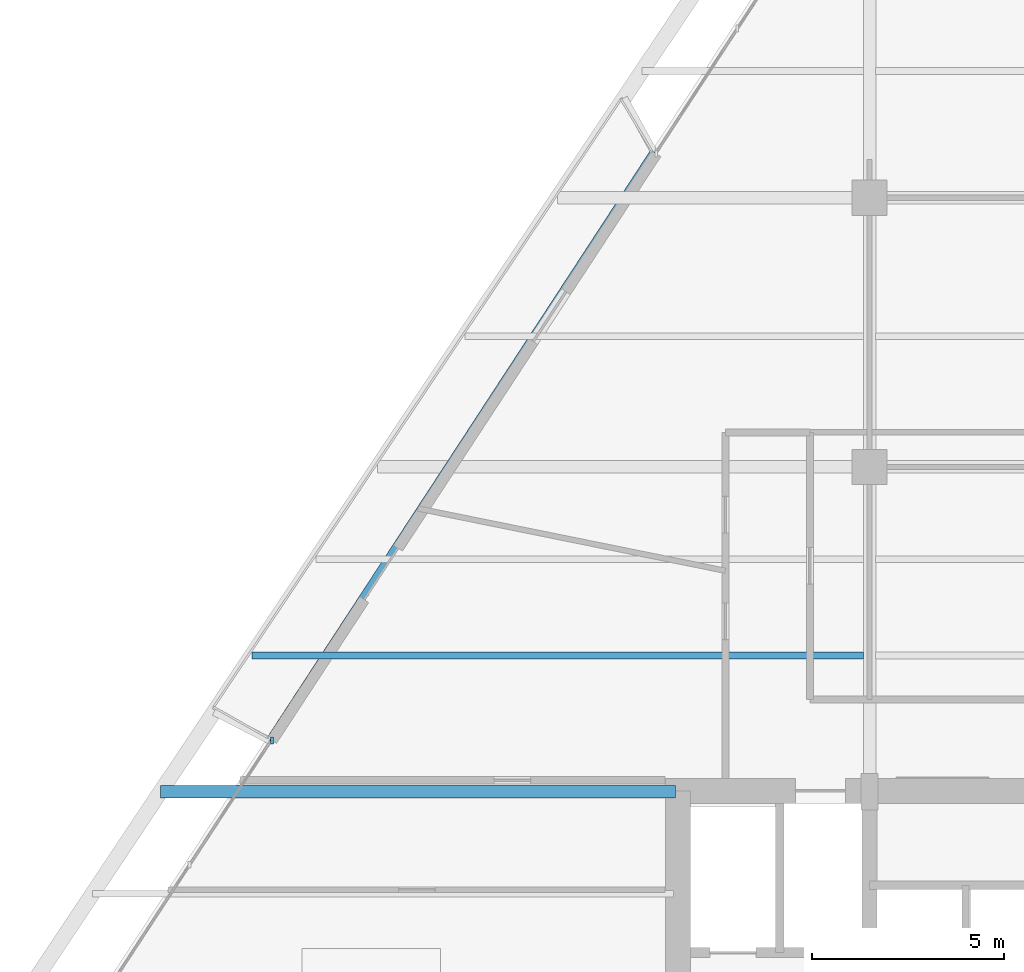
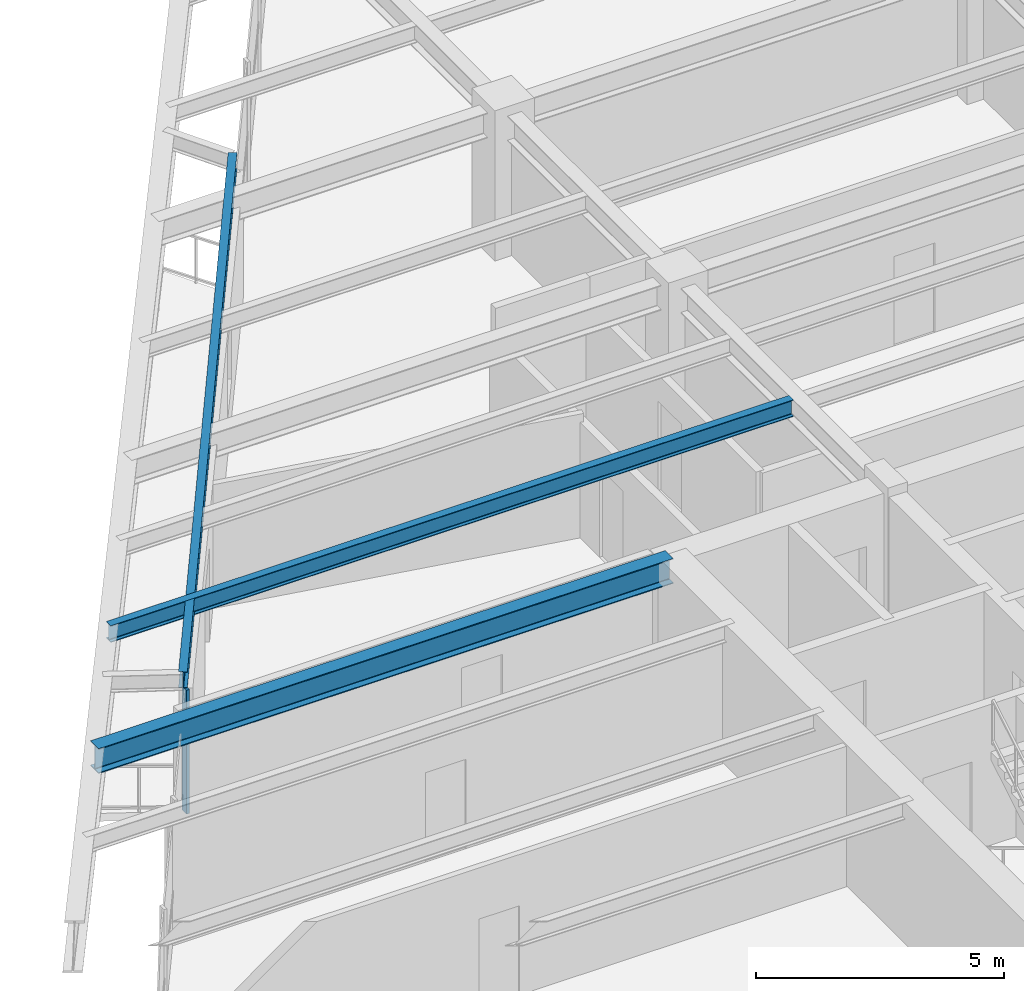
# One storey, part 4 of 14: 3 beams, 1 member, 1 element without a shape of its own.
"""IFC4 building model written with IfcOpenShell, lengths in metres."""

import ifcopenshell
import ifcopenshell.guid

model = None  # the IFC model being written
_history = None  # IfcOwnerHistory: only IFC2X3 demands one
_inside = {}  # id of a spatial element -> (the spatial element, [elements in it])
_under = {}  # id of a project, library or spatial element -> (it, [spatial elements below it])
_declared = {}  # id of a project -> (the project, [libraries it declares])
_typed = {}  # id of a type object -> (the type object, [elements of that type])
_made_of = {}  # id of a material, layer set ... -> (it, [elements and type objects made of it])


def new_model(schema):
    """Start an empty IFC model of exactly this schema.

    Asked for "IFC4X3", IfcOpenShell would pick the latest addendum, in which some entities
    have other attributes; the version numbers below select the first issue.
    IFC2X3 requires an IfcOwnerHistory on every rooted entity: one is made here for all.
    """
    global model, _history
    if schema == "IFC4X3":
        model = ifcopenshell.file(schema_version=(4, 3, 0, 0))
    else:
        model = ifcopenshell.file(schema=schema)
    _inside.clear()
    _under.clear()
    _declared.clear()
    _typed.clear()
    _made_of.clear()
    _history = None
    if model.schema == "IFC2X3":
        org = make("IfcOrganization", Name="unknown")
        user = make(
            "IfcPersonAndOrganization",
            ThePerson=make("IfcPerson", FamilyName="unknown"),
            TheOrganization=org,
        )
        app = make(
            "IfcApplication",
            ApplicationDeveloper=org,
            Version="unknown",
            ApplicationFullName="unknown",
            ApplicationIdentifier="unknown",
        )
        _history = make(
            "IfcOwnerHistory",
            OwningUser=user,
            OwningApplication=app,
            ChangeAction="ADDED",
            CreationDate=0,
        )
    return model


def make(cls, **values):
    """One entity of the class cls with the attributes given. An attribute that is None is left unset."""
    return model.create_entity(
        cls, **{name: value for name, value in values.items() if value is not None}
    )


def rooted(cls, **values):
    """An entity with a GlobalId (a new one), such as an element, a storey or a relation."""
    return make(cls, GlobalId=ifcopenshell.guid.new(), OwnerHistory=_history, **values)


def si_unit(unit_type, name, prefix=None):
    """IfcSIUnit, for example si_unit("LENGTHUNIT", "METRE", prefix="MILLI")."""
    return make("IfcSIUnit", UnitType=unit_type, Prefix=prefix, Name=name)


def assignment(units):
    """IfcUnitAssignment: the units of a project."""
    return None if units is None else make("IfcUnitAssignment", Units=units)


def point(xyz):
    """IfcCartesianPoint."""
    return None if xyz is None else make("IfcCartesianPoint", Coordinates=xyz)


def direction(xyz):
    """IfcDirection."""
    return None if xyz is None else make("IfcDirection", DirectionRatios=xyz)


def frame(location, z_axis=None, x_axis=None):
    """IfcAxis2Placement3D, a coordinate frame: its origin and axes. An axis left out is left unset."""
    return make(
        "IfcAxis2Placement3D",
        Location=point(location),
        Axis=direction(z_axis),
        RefDirection=direction(x_axis),
    )


def frame_2d(location, x_axis=None):
    """IfcAxis2Placement2D, a coordinate frame in the plane: its origin and x axis."""
    return make(
        "IfcAxis2Placement2D", Location=point(location), RefDirection=direction(x_axis)
    )


def origin():
    """The frame at (0, 0, 0) with its axes left unset."""
    return frame((0.0, 0.0, 0.0))


def origin_2d():
    """The frame at (0, 0) in the plane with its x axis left unset."""
    return frame_2d((0.0, 0.0))


def place(relative_to, where):
    """IfcLocalPlacement: puts the frame where relative to a parent placement (None: the world)."""
    return make(
        "IfcLocalPlacement", PlacementRelTo=relative_to, RelativePlacement=where
    )


def context(
    kind, dimensions, precision=None, world=None, true_north=None, identifier=None
):
    """IfcGeometricRepresentationContext, for example the 3D "Model" context."""
    return make(
        "IfcGeometricRepresentationContext",
        ContextIdentifier=identifier,
        ContextType=kind,
        CoordinateSpaceDimension=dimensions,
        Precision=precision,
        WorldCoordinateSystem=world,
        TrueNorth=true_north,
    )


def subcontext(parent, identifier, kind, view, scale=None):
    """IfcGeometricRepresentationSubContext, for example "Body" below "Model"."""
    return make(
        "IfcGeometricRepresentationSubContext",
        ContextIdentifier=identifier,
        ContextType=kind,
        ParentContext=parent,
        TargetScale=scale,
        TargetView=view,
    )


def project(units=None, contexts=None):
    """IfcProject with its units and contexts."""
    return rooted(
        "IfcProject",
        Name="project",
        RepresentationContexts=contexts,
        UnitsInContext=assignment(units),
    )


def spatial(cls, under=None, at=None, **own):
    """A site, building, storey or space (cls), placed at a placement, below another one or the project."""
    s = rooted(cls, ObjectPlacement=at, **own)
    if under is not None:
        _under.setdefault(under.id(), (under, []))[1].append(s)
    return s


def profile(cls, at=None, kind="AREA", **sizes):
    """A parametric profile (cls). Its sizes go by their IFC names, for example OverallWidth=200.0."""
    return make(cls, ProfileType=kind, Position=at, **sizes)


def rectangle(**sizes):
    """IfcRectangleProfileDef."""
    return profile("IfcRectangleProfileDef", **sizes)


def i_section(**sizes):
    """IfcIShapeProfileDef."""
    return profile("IfcIShapeProfileDef", **sizes)


def extrude(swept, where, along, depth):
    """IfcExtrudedAreaSolid: the profile swept, set in the frame where, extruded along a direction by depth."""
    return make(
        "IfcExtrudedAreaSolid",
        SweptArea=swept,
        Position=where,
        ExtrudedDirection=direction(along),
        Depth=depth,
    )


def shape(context_of_items, identifier, shape_type, items):
    """IfcShapeRepresentation: the items that make up one representation, for example the "Body"."""
    return make(
        "IfcShapeRepresentation",
        ContextOfItems=context_of_items,
        RepresentationIdentifier=identifier,
        RepresentationType=shape_type,
        Items=items,
    )


def source(mapping_origin, context_of_items, identifier, shape_type, items):
    """IfcRepresentationMap: a shape defined once, which mapped items show again and again."""
    return make(
        "IfcRepresentationMap",
        MappingOrigin=mapping_origin,
        MappedRepresentation=shape(context_of_items, identifier, shape_type, items),
    )


def transform(
    local_origin,
    x_axis=None,
    y_axis=None,
    z_axis=None,
    scale=None,
    scale2=None,
    scale3=None,
    uniform=True,
):
    """IfcCartesianTransformationOperator3D, or its non-uniform kind. x_axis, y_axis, z_axis: its Axis1, 2, 3."""
    if uniform:
        return make(
            "IfcCartesianTransformationOperator3D",
            Axis1=direction(x_axis),
            Axis2=direction(y_axis),
            LocalOrigin=point(local_origin),
            Scale=scale,
            Axis3=direction(z_axis),
        )
    return make(
        "IfcCartesianTransformationOperator3DnonUniform",
        Axis1=direction(x_axis),
        Axis2=direction(y_axis),
        LocalOrigin=point(local_origin),
        Scale=scale,
        Axis3=direction(z_axis),
        Scale2=scale2,
        Scale3=scale3,
    )


def mapped(mapping_source, mapping_target):
    """IfcMappedItem: shows the shape of a source again, moved by a transform."""
    return make(
        "IfcMappedItem", MappingSource=mapping_source, MappingTarget=mapping_target
    )


def material(Name=None, Category=None):
    """IfcMaterial."""
    return make("IfcMaterial", Name=Name, Category=Category)


def material_profile(
    of_material, cross_section, Name=None, Category=None, Priority=None
):
    """IfcMaterialProfile: a cross section and its material."""
    return make(
        "IfcMaterialProfile",
        Name=Name,
        Material=of_material,
        Profile=cross_section,
        Priority=Priority,
        Category=Category,
    )


def profile_set(profiles, Name=None, composite=None):
    """IfcMaterialProfileSet."""
    return make(
        "IfcMaterialProfileSet",
        Name=Name,
        MaterialProfiles=profiles,
        CompositeProfile=composite,
    )


def made_of(thing, what):
    """Note that an element or type object is made of a material, layer set ...; save() writes the relation."""
    if what is not None:
        _made_of.setdefault(what.id(), (what, []))[1].append(thing)
    return thing


def type_object(cls, material=None, **own):
    """A type object (cls), such as IfcWallType, which elements share."""
    return made_of(rooted(cls, **own), material)


def element(
    cls,
    number,
    at=None,
    inside=None,
    cuts=None,
    type_object=None,
    material=None,
    context=None,
    identifier="Body",
    shape_type=None,
    held_by="IfcProductDefinitionShape",
    body=None,
    shapes=None,
    **own,
):
    """One element of the class cls, such as IfcWall. Its Tag is "e" and its number.

    at: its placement. inside: the storey or other place that contains it. cuts: it is an
    opening in that element (IfcRelVoidsElement). A single representation is given by context,
    identifier, shape_type and body (its items); several are given by shapes. held_by: the class
    of the entity that holds the representations. save() writes the other relations.
    """
    e = rooted(cls, Tag="e%d" % number, ObjectPlacement=at, **own)
    if body is not None:
        shapes = [shape(context, identifier, shape_type, body)]
    if shapes is not None:
        e.Representation = make(held_by, Representations=shapes)
    if inside is not None:
        _inside.setdefault(inside.id(), (inside, []))[1].append(e)
    if cuts is not None:
        rooted(
            "IfcRelVoidsElement", RelatingBuildingElement=cuts, RelatedOpeningElement=e
        )
    if type_object is not None:
        _typed.setdefault(type_object.id(), (type_object, []))[1].append(e)
    return made_of(e, material)


def aggregate(whole, parts):
    """IfcRelAggregates: a whole, such as a stair, and the parts it consists of."""
    return rooted("IfcRelAggregates", RelatingObject=whole, RelatedObjects=parts)


def save(model, path):
    """Write the relations noted so far, then the file.

    IfcRelAggregates (storeys below a building ...), IfcRelContainedInSpatialStructure (elements
    in a storey), IfcRelDefinesByType, IfcRelAssociatesMaterial and IfcRelDeclares: one each for
    every whole, place, type object, material and project.
    """
    for whole, parts in _under.values():
        aggregate(whole, parts)
    for where, things in _inside.values():
        rooted(
            "IfcRelContainedInSpatialStructure",
            RelatedElements=things,
            RelatingStructure=where,
        )
    for kind, things in _typed.values():
        rooted("IfcRelDefinesByType", RelatedObjects=things, RelatingType=kind)
    for what, things in _made_of.values():
        rooted("IfcRelAssociatesMaterial", RelatedObjects=things, RelatingMaterial=what)
    for by, libraries in _declared.values():
        rooted("IfcRelDeclares", RelatingContext=by, RelatedDefinitions=libraries)
    model.write(path)


model = new_model("IFC4")

# Units and contexts
model_context = context("Model", 3, precision=1e-05, world=origin(), true_north=direction((0.0, 1.0)))
body_context = subcontext(model_context, "Body", "Model", "MODEL_VIEW")
ifc_project = project(units=[si_unit("LENGTHUNIT", "METRE"), si_unit("AREAUNIT", "SQUARE_METRE"), si_unit("VOLUMEUNIT", "CUBIC_METRE"), si_unit("PLANEANGLEUNIT", "RADIAN"), si_unit("MASSUNIT", "GRAM", prefix="KILO")], contexts=[model_context])

# Site, building, storey
site_placement = place(None, origin())
site = spatial("IfcSite", under=ifc_project, at=site_placement, CompositionType="ELEMENT")
building_placement = place(site_placement, origin())
building = spatial("IfcBuilding", under=site, at=building_placement, Name="Varnakhor Terracotta Tower", CompositionType="ELEMENT")
storey_placement = place(building_placement, frame((0.0, 0.0, 133.0)))
storey = spatial("IfcBuildingStorey", under=building, at=storey_placement, Name="L33", CompositionType="ELEMENT", Elevation=133.0)

# Beams
ifc_material_1 = material(Name="Steel S355", Category="steel")
ifc_material_profile_1 = material_profile(ifc_material_1, i_section(OverallWidth=0.179931640625, OverallDepth=0.39990234375, WebThickness=0.008544921875, FlangeThickness=0.013427734375, FilletRadius=0.01806640625, at=origin_2d()), Name="IPE400")
ifc_profile_set_1 = profile_set([ifc_material_profile_1], Name="Steel S355")
beam_type_1 = type_object("IfcBeamType", Name="JST-IPE400", PredefinedType="JOIST", material=ifc_profile_set_1)
shared_shape_1 = source(origin(), body_context, "Body", "SweptSolid", [
    extrude(i_section(OverallWidth=0.179931640625, OverallDepth=0.39990234375, WebThickness=0.008544921875, FlangeThickness=0.013427734375, FilletRadius=0.01806640625, at=origin_2d()), origin(), (0.0, 0.0, 1.0), 18.295166015625),
])
beam_1_placement = place(storey_placement, frame((-11.110595703125, 32.703369140625, 3.27001953125), z_axis=(-0.546689429915, -0.837335456803, 0.0), x_axis=(0.837335456803, -0.546689429915, 0.0)))
element("IfcBeam", 1, at=beam_1_placement, inside=storey, type_object=beam_type_1, Name="L33 Loggia Edge Beam 2", PredefinedType="JOIST", context=body_context, shape_type="MappedRepresentation", body=[
    mapped(shared_shape_1, transform((0.0, 0.0, 0.0), scale=1.0)),
])
ifc_material_profile_2 = material_profile(ifc_material_1, i_section(OverallWidth=0.324951171875, OverallDepth=0.615966796875, WebThickness=0.013916015625, FlangeThickness=0.02197265625, FilletRadius=0.01806640625, at=origin_2d()), Name="W24X117")
ifc_profile_set_2 = profile_set([ifc_material_profile_2], Name="Steel S355")
beam_type_2 = type_object("IfcBeamType", Name="BM-W24X117", PredefinedType="BEAM", material=ifc_profile_set_2)
shared_shape_2 = source(origin(), body_context, "Body", "SweptSolid", [
    extrude(i_section(OverallWidth=0.324951171875, OverallDepth=0.615966796875, WebThickness=0.013916015625, FlangeThickness=0.02197265625, FilletRadius=0.01806640625, at=origin_2d()), origin(), (0.0, 0.0, 1.0), 13.3896484375),
])
beam_2_placement = place(storey_placement, frame((-23.939697265625, 16.050048828125, 3.162109375), z_axis=(1.0, 0.0, 0.0), x_axis=(0.0, 1.0, 0.0)))
element("IfcBeam", 2, at=beam_2_placement, inside=storey, type_object=beam_type_2, Name="L33 Wing Girder W", PredefinedType="BEAM", context=body_context, shape_type="MappedRepresentation", body=[
    mapped(shared_shape_2, transform((0.0, 0.0, 0.0), scale=1.0)),
])
ifc_material_profile_3 = material_profile(ifc_material_1, i_section(OverallWidth=0.179931640625, OverallDepth=0.4130859375, WebThickness=0.009765625, FlangeThickness=0.01611328125, FilletRadius=0.01806640625, at=origin_2d()), Name="W16X50")
ifc_profile_set_3 = profile_set([ifc_material_profile_3], Name="Steel S355")
beam_type_3 = type_object("IfcBeamType", Name="JST-W16X50", PredefinedType="JOIST", material=ifc_profile_set_3)
shared_shape_3 = source(origin(), body_context, "Body", "SweptSolid", [
    extrude(i_section(OverallWidth=0.179931640625, OverallDepth=0.4130859375, WebThickness=0.009765625, FlangeThickness=0.01611328125, FilletRadius=0.01806640625, at=origin_2d()), origin(), (0.0, 0.0, 1.0), 15.90966796875),
])
beam_3_placement = place(storey_placement, frame((-21.568115234375, 19.60009765625, 3.263427734375), z_axis=(1.0, 0.0, 0.0), x_axis=(0.0, 1.0, 0.0)))
element("IfcBeam", 3, at=beam_3_placement, inside=storey, type_object=beam_type_3, Name="L33 Composite Floor Joist 4-1", PredefinedType="JOIST", context=body_context, shape_type="MappedRepresentation", body=[
    mapped(shared_shape_3, transform((0.0, 0.0, 0.0), scale=1.0)),
])

# Curtain wall, member
ifc_material_2 = material(Name="Anodised Aluminium Curtain Wall System", Category="aluminium")
curtain_wall_type = type_object("IfcCurtainWallType", Name="CW-SYS-MID-OFFICE", PredefinedType="NOTDEFINED", material=ifc_material_2)
curtain_wall_placement = place(storey_placement, origin())
curtain_wall = element("IfcCurtainWall", 4, at=curtain_wall_placement, inside=storey, type_object=curtain_wall_type, Name="L33 W Facet Curtain Wall 1", PredefinedType="NOTDEFINED")
ifc_material_3 = material(Name="Anodised Aluminium 6063-T6", Category="aluminium")
ifc_material_profile_4 = material_profile(ifc_material_3, rectangle(XDim=0.070068359375, YDim=0.175048828125, at=origin_2d()), Name="ALU MULLION 70x175")
ifc_profile_set_4 = profile_set([ifc_material_profile_4], Name="Anodised Aluminium 6063-T6")
member_type = type_object("IfcMemberType", Name="CWM-03", PredefinedType="MULLION", material=ifc_profile_set_4)
shared_shape_4 = source(origin(), body_context, "Body", "SweptSolid", [
    extrude(rectangle(XDim=0.070068359375, YDim=0.175048828125, at=origin_2d()), origin(), (0.0, 0.0, 1.0), 3.050048828125),
])
member_placement = place(storey_placement, frame((-21.042724609375, 17.385986328125, 0.0), z_axis=(0.0, 0.0, 1.0), x_axis=(1.0, 0.0, 0.0)))
member = element("IfcMember", 5, at=member_placement, type_object=member_type, Name="L33 W Loggia Jamb Closure Mullion 1", PredefinedType="MULLION", context=body_context, shape_type="MappedRepresentation", body=[
    mapped(shared_shape_4, transform((0.0, 0.0, 0.0), scale=1.0)),
])
aggregate(curtain_wall, [member])

save(model, "model.ifc")
